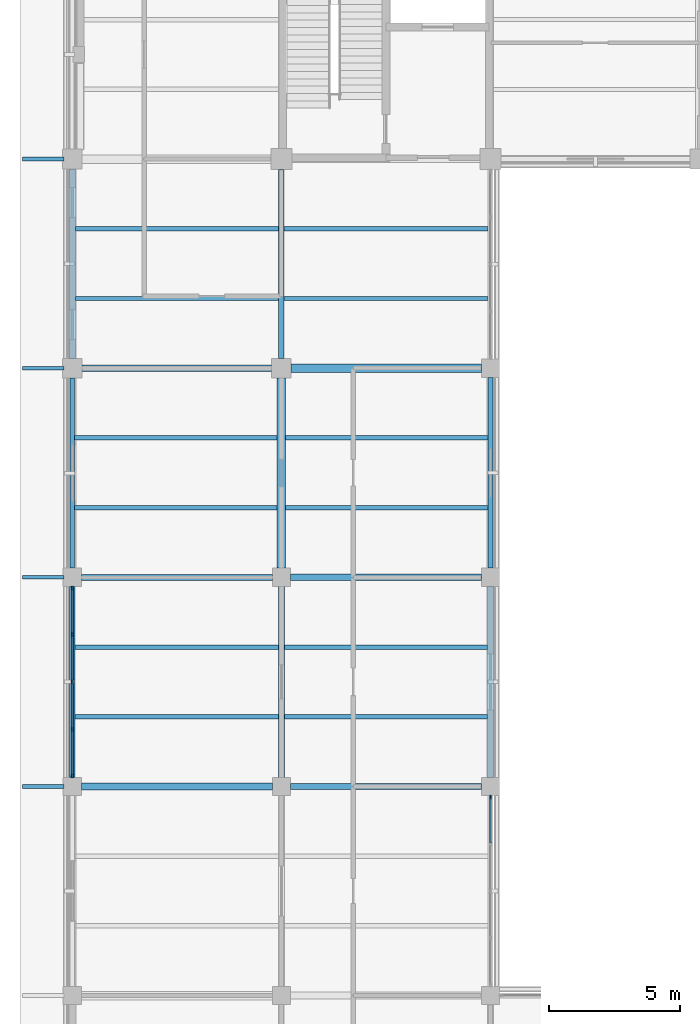
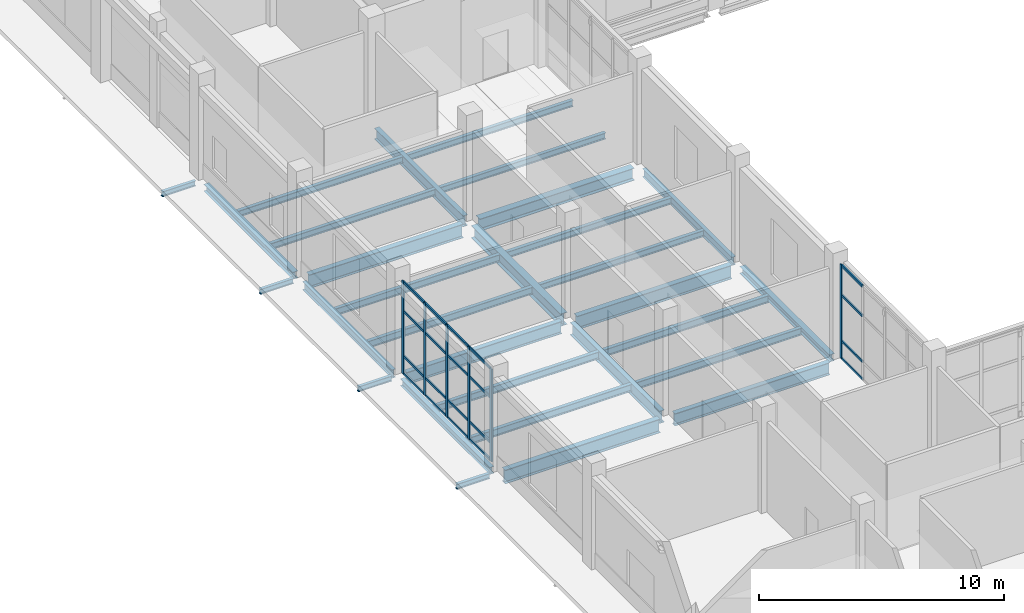
# One storey, part 24 of 105: 30 beams, 26 members, 2 elements without a shape of their own.
"""IFC4 building model written with IfcOpenShell, lengths in metres."""

from ifc_helpers import new_model, si_unit, derived_unit, direction, frame, origin, origin_2d, place, context, subcontext, project, spatial, rectangle, i_section, extrude, material, layer, layer_set, material_profile, profile_set, type_object, element, aggregate, save


model = new_model("IFC4")

# Units and contexts
model_context = context("Model", 3, precision=1e-05, world=origin(), true_north=direction((0.0, 1.0)))
body_context = subcontext(model_context, "Body", "Model", "MODEL_VIEW")
ifc_project = project(units=[si_unit("LENGTHUNIT", "METRE"), si_unit("AREAUNIT", "SQUARE_METRE"), si_unit("VOLUMEUNIT", "CUBIC_METRE"), si_unit("PLANEANGLEUNIT", "RADIAN"), si_unit("MASSUNIT", "GRAM", prefix="KILO"), derived_unit("THERMALTRANSMITTANCEUNIT", [(si_unit("MASSUNIT", "GRAM", prefix="KILO"), 1), (si_unit("TIMEUNIT", "SECOND"), -3), (si_unit("THERMODYNAMICTEMPERATUREUNIT", "KELVIN"), -1)])], contexts=[model_context])

# Site, building, storey
site_placement = place(None, origin())
site = spatial("IfcSite", under=ifc_project, at=site_placement, CompositionType="ELEMENT")
building_placement = place(site_placement, origin())
building = spatial("IfcBuilding", under=site, at=building_placement, Name="Veyamyaing Civic Hall", CompositionType="ELEMENT")
storey_placement = place(building_placement, origin())
storey = spatial("IfcBuildingStorey", under=building, at=storey_placement, Name="L00", CompositionType="ELEMENT", Elevation=0.0)

# Beams
ifc_material_1 = material(Name="Steel ASTM A992", Category="steel")
ifc_material_profile_1 = material_profile(ifc_material_1, i_section(OverallWidth=0.256103515625, OverallDepth=0.693115234375, WebThickness=0.014404296875, FlangeThickness=0.023681640625, FilletRadius=0.013916015625, at=origin_2d()), Name="W690X170")
ifc_profile_set_1 = profile_set([ifc_material_profile_1], Name="Steel ASTM A992")
beam_type_1 = type_object("IfcBeamType", Name="B-04", PredefinedType="BEAM", material=ifc_profile_set_1)
beam_1_placement = place(storey_placement, frame((0.35009765625, 64.0, -0.611572265625), z_axis=(1.0, 0.0, 0.0), x_axis=(0.0, 1.0, 0.0)))
element("IfcBeam", 1, at=beam_1_placement, inside=storey, type_object=beam_type_1, Name="Girder B-04 L00 Grid J 1-2", PredefinedType="BEAM", context=body_context, shape_type="SweptSolid", body=[
    extrude(i_section(OverallWidth=0.256103515625, OverallDepth=0.693115234375, WebThickness=0.014404296875, FlangeThickness=0.023681640625, FilletRadius=0.013916015625, at=origin_2d()), origin(), (0.0, 0.0, 1.0), 7.2998046875),
])
ifc_material_profile_2 = material_profile(ifc_material_1, i_section(OverallWidth=0.22998046875, OverallDepth=0.616943359375, WebThickness=0.01318359375, FlangeThickness=0.022216796875, FilletRadius=0.012939453125, at=origin_2d()), Name="W610X140")
ifc_profile_set_2 = profile_set([ifc_material_profile_2], Name="Steel ASTM A992")
beam_type_2 = type_object("IfcBeamType", Name="B-05", PredefinedType="BEAM", material=ifc_profile_set_2)
for number, where, z_axis, x_axis, name in (
    (2, (8.35009765625, 64.0, -0.573486328125), (1.0, 0.0, 0.0), (0.0, 1.0, 0.0), "Girder B-05 L00 Grid J 2-3"),
    (3, (0.35009765625, 72.0, -0.573486328125), (1.0, 0.0, 0.0), (0.0, 1.0, 0.0), "Girder B-05 L00 Grid K 1-2"),
):
    element("IfcBeam", number, at=place(storey_placement, frame(where, z_axis=z_axis, x_axis=x_axis)), inside=storey, type_object=beam_type_2, Name=name, PredefinedType="BEAM", context=body_context, shape_type="SweptSolid", body=[
        extrude(i_section(OverallWidth=0.22998046875, OverallDepth=0.616943359375, WebThickness=0.01318359375, FlangeThickness=0.022216796875, FilletRadius=0.012939453125, at=origin_2d()), origin(), (0.0, 0.0, 1.0), 7.2998046875),
    ])
ifc_material_profile_3 = material_profile(ifc_material_1, i_section(OverallWidth=0.22802734375, OverallDepth=0.60791015625, WebThickness=0.01123046875, FlangeThickness=0.017333984375, FilletRadius=0.012939453125, at=origin_2d()), Name="W610X113")
ifc_profile_set_3 = profile_set([ifc_material_profile_3], Name="Steel ASTM A992")
beam_type_3 = type_object("IfcBeamType", Name="B-06", PredefinedType="BEAM", material=ifc_profile_set_3)
beam_2_placement = place(storey_placement, frame((8.0, 64.35009765625, -0.569091796875), z_axis=(0.0, 1.0, 0.0), x_axis=(-1.0, 0.0, 0.0)))
element("IfcBeam", 4, at=beam_2_placement, inside=storey, type_object=beam_type_3, Name="Girder B-06 L00 Grid 2 J-K", PredefinedType="BEAM", context=body_context, shape_type="SweptSolid", body=[
    extrude(i_section(OverallWidth=0.22802734375, OverallDepth=0.60791015625, WebThickness=0.01123046875, FlangeThickness=0.017333984375, FilletRadius=0.012939453125, at=origin_2d()), origin(), (0.0, 0.0, 1.0), 7.2998046875),
])
ifc_material_profile_4 = material_profile(ifc_material_1, i_section(OverallWidth=0.179931640625, OverallDepth=0.4130859375, WebThickness=0.009765625, FlangeThickness=0.01611328125, FilletRadius=0.010009765625, at=origin_2d()), Name="W410X74")
ifc_profile_set_4 = profile_set([ifc_material_profile_4], Name="Steel ASTM A992")
beam_type_4 = type_object("IfcBeamType", Name="B-10", PredefinedType="SPANDREL", material=ifc_profile_set_4)
beam_3_placement = place(storey_placement, frame((16.0, 72.35009765625, -0.471435546875), z_axis=(0.0, 1.0, 0.0), x_axis=(-1.0, 0.0, 0.0)))
element("IfcBeam", 5, at=beam_3_placement, inside=storey, type_object=beam_type_4, Name="Girder B-10 L00 Grid 3 K-L", PredefinedType="SPANDREL", context=body_context, shape_type="SweptSolid", body=[
    extrude(i_section(OverallWidth=0.179931640625, OverallDepth=0.4130859375, WebThickness=0.009765625, FlangeThickness=0.01611328125, FilletRadius=0.010009765625, at=origin_2d()), origin(), (0.0, 0.0, 1.0), 7.2998046875),
])
ifc_material_profile_5 = material_profile(ifc_material_1, i_section(OverallWidth=0.2041015625, OverallDepth=0.35009765625, WebThickness=0.0078125, FlangeThickness=0.01513671875, FilletRadius=0.010009765625, at=origin_2d()), Name="W360X72")
ifc_profile_set_5 = profile_set([ifc_material_profile_5], Name="Steel ASTM A992")
beam_type_5 = type_object("IfcBeamType", Name="B-11", PredefinedType="SPANDREL", material=ifc_profile_set_5)
beam_4_placement = place(storey_placement, frame((0.0, 64.35009765625, -0.43994140625), z_axis=(0.0, 1.0, 0.0), x_axis=(-1.0, 0.0, 0.0)))
element("IfcBeam", 6, at=beam_4_placement, inside=storey, type_object=beam_type_5, Name="Girder B-11 L00 Grid 1 J-K", PredefinedType="SPANDREL", context=body_context, shape_type="SweptSolid", body=[
    extrude(i_section(OverallWidth=0.2041015625, OverallDepth=0.35009765625, WebThickness=0.0078125, FlangeThickness=0.01513671875, FilletRadius=0.010009765625, at=origin_2d()), origin(), (0.0, 0.0, 1.0), 7.2998046875),
])
ifc_material_profile_6 = material_profile(ifc_material_1, i_section(OverallWidth=0.14599609375, OverallDepth=0.258056640625, WebThickness=0.006103515625, FlangeThickness=0.009033203125, FilletRadius=0.010009765625, at=origin_2d()), Name="W250X33")
ifc_profile_set_6 = profile_set([ifc_material_profile_6], Name="Steel ASTM A992")
beam_type_6 = type_object("IfcBeamType", Name="B-12", PredefinedType="BEAM", material=ifc_profile_set_6)
for number, where, z_axis, x_axis, name in (
    (7, (-1.89990234375, 64.0, -0.34912109375), (1.0, 0.0, 0.0), (0.0, 1.0, 0.0), "Colonnade deck transverse beam B-12 W.8"),
    (8, (-1.89990234375, 72.0, -0.34912109375), (1.0, 0.0, 0.0), (0.0, 1.0, 0.0), "Colonnade deck transverse beam B-12 W.9"),
    (9, (-1.89990234375, 80.0, -0.34912109375), (1.0, 0.0, 0.0), (0.0, 1.0, 0.0), "Colonnade deck transverse beam B-12 W.10"),
    (10, (-1.89990234375, 88.0, -0.34912109375), (1.0, 0.0, 0.0), (0.0, 1.0, 0.0), "Colonnade deck transverse beam B-12 W.11"),
):
    element("IfcBeam", number, at=place(storey_placement, frame(where, z_axis=z_axis, x_axis=x_axis)), inside=storey, type_object=beam_type_6, Name=name, PredefinedType="BEAM", context=body_context, shape_type="SweptSolid", body=[
        extrude(i_section(OverallWidth=0.14599609375, OverallDepth=0.258056640625, WebThickness=0.006103515625, FlangeThickness=0.009033203125, FilletRadius=0.010009765625, at=origin_2d()), origin(), (0.0, 0.0, 1.0), 1.579833984375),
    ])
ifc_material_profile_7 = material_profile(ifc_material_1, i_section(OverallWidth=0.25390625, OverallDepth=0.68408203125, WebThickness=0.012451171875, FlangeThickness=0.01904296875, FilletRadius=0.013916015625, at=origin_2d()), Name="W690X140")
ifc_profile_set_7 = profile_set([ifc_material_profile_7], Name="Steel ASTM A992")
beam_type_7 = type_object("IfcBeamType", Name="B-14", PredefinedType="BEAM", material=ifc_profile_set_7)
beam_5_placement = place(storey_placement, frame((8.35009765625, 72.0, -0.60693359375), z_axis=(1.0, 0.0, 0.0), x_axis=(0.0, 1.0, 0.0)))
element("IfcBeam", 11, at=beam_5_placement, inside=storey, type_object=beam_type_7, Name="Girder B-14 L00 Grid K 2-3", PredefinedType="BEAM", context=body_context, shape_type="SweptSolid", body=[
    extrude(i_section(OverallWidth=0.25390625, OverallDepth=0.68408203125, WebThickness=0.012451171875, FlangeThickness=0.01904296875, FilletRadius=0.013916015625, at=origin_2d()), origin(), (0.0, 0.0, 1.0), 7.2998046875),
])
beam_6_placement = place(storey_placement, frame((0.375, 80.0, -0.60693359375), z_axis=(1.0, 0.0, 0.0), x_axis=(0.0, 1.0, 0.0)))
element("IfcBeam", 12, at=beam_6_placement, inside=storey, type_object=beam_type_7, Name="Girder B-14 L00 Grid L 1-2", PredefinedType="BEAM", context=body_context, shape_type="SweptSolid", body=[
    extrude(i_section(OverallWidth=0.25390625, OverallDepth=0.68408203125, WebThickness=0.012451171875, FlangeThickness=0.01904296875, FilletRadius=0.013916015625, at=origin_2d()), origin(), (0.0, 0.0, 1.0), 7.25),
])
ifc_material_profile_8 = material_profile(ifc_material_1, i_section(OverallWidth=0.324951171875, OverallDepth=0.615966796875, WebThickness=0.013916015625, FlangeThickness=0.021484375, FilletRadius=0.013916015625, at=origin_2d()), Name="W610X174")
ifc_profile_set_8 = profile_set([ifc_material_profile_8], Name="Steel ASTM A992")
beam_type_8 = type_object("IfcBeamType", Name="B-15", PredefinedType="BEAM", material=ifc_profile_set_8)
for number, where, z_axis, x_axis, name in (
    (13, (8.375, 80.0, -0.572998046875), (1.0, 0.0, 0.0), (0.0, 1.0, 0.0), "Girder B-15 L00 Grid L 2-3"),
    (14, (8.0, 72.35009765625, -0.572998046875), (0.0, 1.0, 0.0), (-1.0, 0.0, 0.0), "Girder B-15 L00 Grid 2 K-L"),
):
    element("IfcBeam", number, at=place(storey_placement, frame(where, z_axis=z_axis, x_axis=x_axis)), inside=storey, type_object=beam_type_8, Name=name, PredefinedType="BEAM", context=body_context, shape_type="SweptSolid", body=[
        extrude(i_section(OverallWidth=0.324951171875, OverallDepth=0.615966796875, WebThickness=0.013916015625, FlangeThickness=0.021484375, FilletRadius=0.013916015625, at=origin_2d()), origin(), (0.0, 0.0, 1.0), 7.27490234375),
    ])
ifc_material_profile_9 = material_profile(ifc_material_1, i_section(OverallWidth=0.214111328125, OverallDepth=0.549072265625, WebThickness=0.0146484375, FlangeThickness=0.023681640625, FilletRadius=0.011962890625, at=origin_2d()), Name="W530X138")
ifc_profile_set_9 = profile_set([ifc_material_profile_9], Name="Steel ASTM A992")
beam_type_9 = type_object("IfcBeamType", Name="B-16", PredefinedType="BEAM", material=ifc_profile_set_9)
beam_7_placement = place(storey_placement, frame((8.0, 80.375, -0.53955078125), z_axis=(0.0, 1.0, 0.0), x_axis=(-1.0, 0.0, 0.0)))
element("IfcBeam", 15, at=beam_7_placement, inside=storey, type_object=beam_type_9, Name="Girder B-16 L00 Grid 2 L-M", PredefinedType="BEAM", context=body_context, shape_type="SweptSolid", body=[
    extrude(i_section(OverallWidth=0.214111328125, OverallDepth=0.549072265625, WebThickness=0.0146484375, FlangeThickness=0.023681640625, FilletRadius=0.011962890625, at=origin_2d()), origin(), (0.0, 0.0, 1.0), 7.22509765625),
])
ifc_material_profile_10 = material_profile(ifc_material_1, i_section(OverallWidth=0.180908203125, OverallDepth=0.4169921875, WebThickness=0.010986328125, FlangeThickness=0.018310546875, FilletRadius=0.010009765625, at=origin_2d()), Name="W410X85")
ifc_profile_set_10 = profile_set([ifc_material_profile_10], Name="Steel ASTM A992")
beam_type_10 = type_object("IfcBeamType", Name="B-19", PredefinedType="SPANDREL", material=ifc_profile_set_10)
beam_8_placement = place(storey_placement, frame((0.0, 72.35009765625, -0.473388671875), z_axis=(0.0, 1.0, 0.0), x_axis=(-1.0, 0.0, 0.0)))
element("IfcBeam", 16, at=beam_8_placement, inside=storey, type_object=beam_type_10, Name="Girder B-19 L00 Grid 1 K-L", PredefinedType="SPANDREL", context=body_context, shape_type="SweptSolid", body=[
    extrude(i_section(OverallWidth=0.180908203125, OverallDepth=0.4169921875, WebThickness=0.010986328125, FlangeThickness=0.018310546875, FilletRadius=0.010009765625, at=origin_2d()), origin(), (0.0, 0.0, 1.0), 7.27490234375),
])
ifc_material_profile_11 = material_profile(ifc_material_1, i_section(OverallWidth=0.25390625, OverallDepth=0.35302734375, WebThickness=0.009521484375, FlangeThickness=0.016357421875, FilletRadius=0.011962890625, at=origin_2d()), Name="W360X91")
ifc_profile_set_11 = profile_set([ifc_material_profile_11], Name="Steel ASTM A992")
beam_type_11 = type_object("IfcBeamType", Name="B-20", PredefinedType="SPANDREL", material=ifc_profile_set_11)
beam_9_placement = place(storey_placement, frame((0.0, 80.375, -0.44140625), z_axis=(0.0, 1.0, 0.0), x_axis=(-1.0, 0.0, 0.0)))
element("IfcBeam", 17, at=beam_9_placement, inside=storey, type_object=beam_type_11, Name="Girder B-20 L00 Grid 1 L-M", PredefinedType="SPANDREL", context=body_context, shape_type="SweptSolid", body=[
    extrude(i_section(OverallWidth=0.25390625, OverallDepth=0.35302734375, WebThickness=0.009521484375, FlangeThickness=0.016357421875, FilletRadius=0.011962890625, at=origin_2d()), origin(), (0.0, 0.0, 1.0), 7.25),
])
beam_10_placement = place(storey_placement, frame((16.0, 64.35009765625, -0.44140625), z_axis=(0.0, 1.0, 0.0), x_axis=(-1.0, 0.0, 0.0)))
element("IfcBeam", 18, at=beam_10_placement, inside=storey, type_object=beam_type_11, Name="Girder B-20 L00 Grid 3 J-K", PredefinedType="SPANDREL", context=body_context, shape_type="SweptSolid", body=[
    extrude(i_section(OverallWidth=0.25390625, OverallDepth=0.35302734375, WebThickness=0.009521484375, FlangeThickness=0.016357421875, FilletRadius=0.011962890625, at=origin_2d()), origin(), (0.0, 0.0, 1.0), 7.2998046875),
])

# Curtain wall, members
ifc_material_2 = material(Name="Anodised aluminium 6063-T6", Category="aluminium")
ifc_layer = layer(ifc_material_2, 0.159912109375, Name="Anodised aluminium 6063-T6")
ifc_layer_set = layer_set([ifc_layer], Name="Anodised aluminium 6063-T6")
curtain_wall_type = type_object("IfcCurtainWallType", Name="CW-01", PredefinedType="NOTDEFINED", material=ifc_layer_set)
curtain_wall_1_placement = place(storey_placement, origin())
curtain_wall_1 = element("IfcCurtainWall", 19, at=curtain_wall_1_placement, inside=storey, type_object=curtain_wall_type, Name="Unitized curtain wall CW-01 L00 W 1.9", PredefinedType="NOTDEFINED")
ifc_material_profile_12 = material_profile(ifc_material_2, rectangle(XDim=0.06494140625, YDim=0.159912109375, at=origin_2d()), Name="ALU-MUL-65X160")
ifc_profile_set_12 = profile_set([ifc_material_profile_12], Name="Anodised aluminium 6063-T6")
member_type_1 = type_object("IfcMemberType", Name="CWM-01", PredefinedType="MULLION", material=ifc_profile_set_12)
member_1_placement = place(storey_placement, frame((0.0, 64.41259765625, 0.0), z_axis=(0.0, 0.0, 1.0), x_axis=(-1.0, 0.0, 0.0)))
member_1 = element("IfcMember", 20, at=member_1_placement, type_object=member_type_1, Name="CW-01 mullion 1", PredefinedType="MULLION", context=body_context, shape_type="SweptSolid", body=[
    extrude(rectangle(XDim=0.06494140625, YDim=0.159912109375, at=origin_2d()), origin(), (0.0, 0.0, 1.0), 4.610107421875),
])
member_2_placement = place(storey_placement, frame((0.0, 66.18994140625, 0.0), z_axis=(0.0, 0.0, 1.0), x_axis=(-1.0, 0.0, 0.0)))
member_2 = element("IfcMember", 21, at=member_2_placement, type_object=member_type_1, Name="CW-01 mullion 2", PredefinedType="MULLION", context=body_context, shape_type="SweptSolid", body=[
    extrude(rectangle(XDim=0.06494140625, YDim=0.159912109375, at=origin_2d()), origin(), (0.0, 0.0, 1.0), 4.610107421875),
])
member_3_placement = place(storey_placement, frame((0.0, 68.0, 0.0), z_axis=(0.0, 0.0, 1.0), x_axis=(-1.0, 0.0, 0.0)))
member_3 = element("IfcMember", 22, at=member_3_placement, type_object=member_type_1, Name="CW-01 mullion 3", PredefinedType="MULLION", context=body_context, shape_type="SweptSolid", body=[
    extrude(rectangle(XDim=0.06494140625, YDim=0.159912109375, at=origin_2d()), origin(), (0.0, 0.0, 1.0), 4.610107421875),
])
member_4_placement = place(storey_placement, frame((0.0, 69.81005859375, 0.0), z_axis=(0.0, 0.0, 1.0), x_axis=(-1.0, 0.0, 0.0)))
member_4 = element("IfcMember", 23, at=member_4_placement, type_object=member_type_1, Name="CW-01 mullion 4", PredefinedType="MULLION", context=body_context, shape_type="SweptSolid", body=[
    extrude(rectangle(XDim=0.06494140625, YDim=0.159912109375, at=origin_2d()), origin(), (0.0, 0.0, 1.0), 4.610107421875),
])
member_5_placement = place(storey_placement, frame((0.0, 71.58740234375, 0.0), z_axis=(0.0, 0.0, 1.0), x_axis=(-1.0, 0.0, 0.0)))
member_5 = element("IfcMember", 24, at=member_5_placement, type_object=member_type_1, Name="CW-01 mullion 5", PredefinedType="MULLION", context=body_context, shape_type="SweptSolid", body=[
    extrude(rectangle(XDim=0.06494140625, YDim=0.159912109375, at=origin_2d()), origin(), (0.0, 0.0, 1.0), 4.610107421875),
])

# Curtain wall, member
curtain_wall_2_placement = place(storey_placement, origin())
curtain_wall_2 = element("IfcCurtainWall", 25, at=curtain_wall_2_placement, inside=storey, type_object=curtain_wall_type, Name="Unitized curtain wall CW-01 L00 E 2.8", PredefinedType="NOTDEFINED")
member_6_placement = place(storey_placement, frame((16.0, 63.58740234375, 0.0), z_axis=(0.0, 0.0, 1.0), x_axis=(-1.0, 0.0, 0.0)))
member_6 = element("IfcMember", 26, at=member_6_placement, type_object=member_type_1, Name="CW-01 mullion 5", PredefinedType="MULLION", context=body_context, shape_type="SweptSolid", body=[
    extrude(rectangle(XDim=0.06494140625, YDim=0.159912109375, at=origin_2d()), origin(), (0.0, 0.0, 1.0), 4.678955078125),
])

# Member
ifc_material_profile_13 = material_profile(ifc_material_2, rectangle(XDim=0.06494140625, YDim=0.1201171875, at=origin_2d()), Name="ALU-TRN-65X120")
ifc_profile_set_13 = profile_set([ifc_material_profile_13], Name="Anodised aluminium 6063-T6")
member_type_2 = type_object("IfcMemberType", Name="CWT-01", PredefinedType="USERDEFINED", material=ifc_profile_set_13)
member_7_placement = place(storey_placement, frame((0.0, 64.445068359375, 0.032470703125), z_axis=(0.0, 1.0, 0.0), x_axis=(-1.0, 0.0, 0.0)))
member_7 = element("IfcMember", 27, at=member_7_placement, type_object=member_type_2, Name="CW-01 transom 1.1", ObjectType="TRANSOM", PredefinedType="USERDEFINED", context=body_context, shape_type="SweptSolid", body=[
    extrude(rectangle(XDim=0.06494140625, YDim=0.1201171875, at=origin_2d()), origin(), (0.0, 0.0, 1.0), 1.71240234375),
])

member_8_placement = place(storey_placement, frame((0.0, 64.445068359375, 0.89990234375), z_axis=(0.0, 1.0, 0.0), x_axis=(-1.0, 0.0, 0.0)))
member_8 = element("IfcMember", 28, at=member_8_placement, type_object=member_type_2, Name="CW-01 transom 1.2", ObjectType="TRANSOM", PredefinedType="USERDEFINED", context=body_context, shape_type="SweptSolid", body=[
    extrude(rectangle(XDim=0.06494140625, YDim=0.1201171875, at=origin_2d()), origin(), (0.0, 0.0, 1.0), 1.71240234375),
])

member_9_placement = place(storey_placement, frame((0.0, 64.445068359375, 3.134765625), z_axis=(0.0, 1.0, 0.0), x_axis=(-1.0, 0.0, 0.0)))
member_9 = element("IfcMember", 29, at=member_9_placement, type_object=member_type_2, Name="CW-01 transom 1.3", ObjectType="TRANSOM", PredefinedType="USERDEFINED", context=body_context, shape_type="SweptSolid", body=[
    extrude(rectangle(XDim=0.06494140625, YDim=0.1201171875, at=origin_2d()), origin(), (0.0, 0.0, 1.0), 1.71240234375),
])

member_10_placement = place(storey_placement, frame((0.0, 64.445068359375, 4.577392578125), z_axis=(0.0, 1.0, 0.0), x_axis=(-1.0, 0.0, 0.0)))
member_10 = element("IfcMember", 30, at=member_10_placement, type_object=member_type_2, Name="CW-01 transom 1.4", ObjectType="TRANSOM", PredefinedType="USERDEFINED", context=body_context, shape_type="SweptSolid", body=[
    extrude(rectangle(XDim=0.06494140625, YDim=0.1201171875, at=origin_2d()), origin(), (0.0, 0.0, 1.0), 1.71240234375),
])

member_11_placement = place(storey_placement, frame((0.0, 66.222412109375, 0.032470703125), z_axis=(0.0, 1.0, 0.0), x_axis=(-1.0, 0.0, 0.0)))
member_11 = element("IfcMember", 31, at=member_11_placement, type_object=member_type_2, Name="CW-01 transom 2.1", ObjectType="TRANSOM", PredefinedType="USERDEFINED", context=body_context, shape_type="SweptSolid", body=[
    extrude(rectangle(XDim=0.06494140625, YDim=0.1201171875, at=origin_2d()), origin(), (0.0, 0.0, 1.0), 1.7451171875),
])

member_12_placement = place(storey_placement, frame((0.0, 66.222412109375, 0.89990234375), z_axis=(0.0, 1.0, 0.0), x_axis=(-1.0, 0.0, 0.0)))
member_12 = element("IfcMember", 32, at=member_12_placement, type_object=member_type_2, Name="CW-01 transom 2.2", ObjectType="TRANSOM", PredefinedType="USERDEFINED", context=body_context, shape_type="SweptSolid", body=[
    extrude(rectangle(XDim=0.06494140625, YDim=0.1201171875, at=origin_2d()), origin(), (0.0, 0.0, 1.0), 1.7451171875),
])

member_13_placement = place(storey_placement, frame((0.0, 66.222412109375, 3.134765625), z_axis=(0.0, 1.0, 0.0), x_axis=(-1.0, 0.0, 0.0)))
member_13 = element("IfcMember", 33, at=member_13_placement, type_object=member_type_2, Name="CW-01 transom 2.3", ObjectType="TRANSOM", PredefinedType="USERDEFINED", context=body_context, shape_type="SweptSolid", body=[
    extrude(rectangle(XDim=0.06494140625, YDim=0.1201171875, at=origin_2d()), origin(), (0.0, 0.0, 1.0), 1.7451171875),
])

member_14_placement = place(storey_placement, frame((0.0, 66.222412109375, 4.577392578125), z_axis=(0.0, 1.0, 0.0), x_axis=(-1.0, 0.0, 0.0)))
member_14 = element("IfcMember", 34, at=member_14_placement, type_object=member_type_2, Name="CW-01 transom 2.4", ObjectType="TRANSOM", PredefinedType="USERDEFINED", context=body_context, shape_type="SweptSolid", body=[
    extrude(rectangle(XDim=0.06494140625, YDim=0.1201171875, at=origin_2d()), origin(), (0.0, 0.0, 1.0), 1.7451171875),
])

member_15_placement = place(storey_placement, frame((0.0, 68.032470703125, 0.032470703125), z_axis=(0.0, 1.0, 0.0), x_axis=(-1.0, 0.0, 0.0)))
member_15 = element("IfcMember", 35, at=member_15_placement, type_object=member_type_2, Name="CW-01 transom 3.1", ObjectType="TRANSOM", PredefinedType="USERDEFINED", context=body_context, shape_type="SweptSolid", body=[
    extrude(rectangle(XDim=0.06494140625, YDim=0.1201171875, at=origin_2d()), origin(), (0.0, 0.0, 1.0), 1.7451171875),
])

member_16_placement = place(storey_placement, frame((0.0, 68.032470703125, 0.89990234375), z_axis=(0.0, 1.0, 0.0), x_axis=(-1.0, 0.0, 0.0)))
member_16 = element("IfcMember", 36, at=member_16_placement, type_object=member_type_2, Name="CW-01 transom 3.2", ObjectType="TRANSOM", PredefinedType="USERDEFINED", context=body_context, shape_type="SweptSolid", body=[
    extrude(rectangle(XDim=0.06494140625, YDim=0.1201171875, at=origin_2d()), origin(), (0.0, 0.0, 1.0), 1.7451171875),
])

member_17_placement = place(storey_placement, frame((0.0, 68.032470703125, 3.134765625), z_axis=(0.0, 1.0, 0.0), x_axis=(-1.0, 0.0, 0.0)))
member_17 = element("IfcMember", 37, at=member_17_placement, type_object=member_type_2, Name="CW-01 transom 3.3", ObjectType="TRANSOM", PredefinedType="USERDEFINED", context=body_context, shape_type="SweptSolid", body=[
    extrude(rectangle(XDim=0.06494140625, YDim=0.1201171875, at=origin_2d()), origin(), (0.0, 0.0, 1.0), 1.7451171875),
])

member_18_placement = place(storey_placement, frame((0.0, 68.032470703125, 4.577392578125), z_axis=(0.0, 1.0, 0.0), x_axis=(-1.0, 0.0, 0.0)))
member_18 = element("IfcMember", 38, at=member_18_placement, type_object=member_type_2, Name="CW-01 transom 3.4", ObjectType="TRANSOM", PredefinedType="USERDEFINED", context=body_context, shape_type="SweptSolid", body=[
    extrude(rectangle(XDim=0.06494140625, YDim=0.1201171875, at=origin_2d()), origin(), (0.0, 0.0, 1.0), 1.7451171875),
])

member_19_placement = place(storey_placement, frame((0.0, 69.842529296875, 0.032470703125), z_axis=(0.0, 1.0, 0.0), x_axis=(-1.0, 0.0, 0.0)))
member_19 = element("IfcMember", 39, at=member_19_placement, type_object=member_type_2, Name="CW-01 transom 4.1", ObjectType="TRANSOM", PredefinedType="USERDEFINED", context=body_context, shape_type="SweptSolid", body=[
    extrude(rectangle(XDim=0.06494140625, YDim=0.1201171875, at=origin_2d()), origin(), (0.0, 0.0, 1.0), 1.71240234375),
])

member_20_placement = place(storey_placement, frame((0.0, 69.842529296875, 0.89990234375), z_axis=(0.0, 1.0, 0.0), x_axis=(-1.0, 0.0, 0.0)))
member_20 = element("IfcMember", 40, at=member_20_placement, type_object=member_type_2, Name="CW-01 transom 4.2", ObjectType="TRANSOM", PredefinedType="USERDEFINED", context=body_context, shape_type="SweptSolid", body=[
    extrude(rectangle(XDim=0.06494140625, YDim=0.1201171875, at=origin_2d()), origin(), (0.0, 0.0, 1.0), 1.71240234375),
])

member_21_placement = place(storey_placement, frame((0.0, 69.842529296875, 3.134765625), z_axis=(0.0, 1.0, 0.0), x_axis=(-1.0, 0.0, 0.0)))
member_21 = element("IfcMember", 41, at=member_21_placement, type_object=member_type_2, Name="CW-01 transom 4.3", ObjectType="TRANSOM", PredefinedType="USERDEFINED", context=body_context, shape_type="SweptSolid", body=[
    extrude(rectangle(XDim=0.06494140625, YDim=0.1201171875, at=origin_2d()), origin(), (0.0, 0.0, 1.0), 1.71240234375),
])

member_22_placement = place(storey_placement, frame((0.0, 69.842529296875, 4.577392578125), z_axis=(0.0, 1.0, 0.0), x_axis=(-1.0, 0.0, 0.0)))
member_22 = element("IfcMember", 42, at=member_22_placement, type_object=member_type_2, Name="CW-01 transom 4.4", ObjectType="TRANSOM", PredefinedType="USERDEFINED", context=body_context, shape_type="SweptSolid", body=[
    extrude(rectangle(XDim=0.06494140625, YDim=0.1201171875, at=origin_2d()), origin(), (0.0, 0.0, 1.0), 1.71240234375),
])

aggregate(curtain_wall_1, [member_1, member_2, member_3, member_4, member_5, member_7, member_8, member_9, member_10, member_11, member_12, member_13, member_14, member_15, member_16, member_17, member_18, member_19, member_20, member_21, member_22])

member_23_placement = place(storey_placement, frame((16.0, 61.842529296875, 0.032470703125), z_axis=(0.0, 1.0, 0.0), x_axis=(-1.0, 0.0, 0.0)))
member_23 = element("IfcMember", 43, at=member_23_placement, type_object=member_type_2, Name="CW-01 transom 4.1", ObjectType="TRANSOM", PredefinedType="USERDEFINED", context=body_context, shape_type="SweptSolid", body=[
    extrude(rectangle(XDim=0.06494140625, YDim=0.1201171875, at=origin_2d()), origin(), (0.0, 0.0, 1.0), 1.71240234375),
])

member_24_placement = place(storey_placement, frame((16.0, 61.842529296875, 0.89990234375), z_axis=(0.0, 1.0, 0.0), x_axis=(-1.0, 0.0, 0.0)))
member_24 = element("IfcMember", 44, at=member_24_placement, type_object=member_type_2, Name="CW-01 transom 4.2", ObjectType="TRANSOM", PredefinedType="USERDEFINED", context=body_context, shape_type="SweptSolid", body=[
    extrude(rectangle(XDim=0.06494140625, YDim=0.1201171875, at=origin_2d()), origin(), (0.0, 0.0, 1.0), 1.71240234375),
])

member_25_placement = place(storey_placement, frame((16.0, 61.842529296875, 3.181640625), z_axis=(0.0, 1.0, 0.0), x_axis=(-1.0, 0.0, 0.0)))
member_25 = element("IfcMember", 45, at=member_25_placement, type_object=member_type_2, Name="CW-01 transom 4.3", ObjectType="TRANSOM", PredefinedType="USERDEFINED", context=body_context, shape_type="SweptSolid", body=[
    extrude(rectangle(XDim=0.06494140625, YDim=0.1201171875, at=origin_2d()), origin(), (0.0, 0.0, 1.0), 1.71240234375),
])

member_26_placement = place(storey_placement, frame((16.0, 61.842529296875, 4.646484375), z_axis=(0.0, 1.0, 0.0), x_axis=(-1.0, 0.0, 0.0)))
member_26 = element("IfcMember", 46, at=member_26_placement, type_object=member_type_2, Name="CW-01 transom 4.4", ObjectType="TRANSOM", PredefinedType="USERDEFINED", context=body_context, shape_type="SweptSolid", body=[
    extrude(rectangle(XDim=0.06494140625, YDim=0.1201171875, at=origin_2d()), origin(), (0.0, 0.0, 1.0), 1.71240234375),
])

aggregate(curtain_wall_2, [member_6, member_23, member_24, member_25, member_26])

# Beams
ifc_material_profile_14 = material_profile(ifc_material_1, i_section(OverallWidth=0.172119140625, OverallDepth=0.35791015625, WebThickness=0.0078125, FlangeThickness=0.01318359375, FilletRadius=0.010009765625, at=origin_2d()), Name="W360X57")
ifc_profile_set_14 = profile_set([ifc_material_profile_14], Name="Steel ASTM A992")
beam_type_12 = type_object("IfcBeamType", Name="J-02", PredefinedType="JOIST", material=ifc_profile_set_14)
for number, where, z_axis, x_axis, name in (
    (47, (0.10009765625, 66.666748046875, -0.444091796875), (1.0, 0.0, 0.0), (0.0, 1.0, 0.0), "Composite floor joist J-02 L00 1.9.1"),
    (48, (0.10009765625, 69.333251953125, -0.444091796875), (1.0, 0.0, 0.0), (0.0, 1.0, 0.0), "Composite floor joist J-02 L00 1.9.2"),
):
    element("IfcBeam", number, at=place(storey_placement, frame(where, z_axis=z_axis, x_axis=x_axis)), inside=storey, type_object=beam_type_12, Name=name, PredefinedType="JOIST", context=body_context, shape_type="SweptSolid", body=[
        extrude(i_section(OverallWidth=0.172119140625, OverallDepth=0.35791015625, WebThickness=0.0078125, FlangeThickness=0.01318359375, FilletRadius=0.010009765625, at=origin_2d()), origin(), (0.0, 0.0, 1.0), 7.787841796875),
    ])
ifc_material_profile_15 = material_profile(ifc_material_1, i_section(OverallWidth=0.1708984375, OverallDepth=0.35205078125, WebThickness=0.0068359375, FlangeThickness=0.009765625, FilletRadius=0.010009765625, at=origin_2d()), Name="W360X44")
ifc_profile_set_15 = profile_set([ifc_material_profile_15], Name="Steel ASTM A992")
beam_type_13 = type_object("IfcBeamType", Name="J-03", PredefinedType="JOIST", material=ifc_profile_set_15)
for number, where, z_axis, x_axis, name in (
    (49, (0.08837890625, 74.666748046875, -0.44091796875), (1.0, 0.0, 0.0), (0.0, 1.0, 0.0), "Composite floor joist J-03 L00 1.10.1"),
    (50, (0.08837890625, 77.333251953125, -0.44091796875), (1.0, 0.0, 0.0), (0.0, 1.0, 0.0), "Composite floor joist J-03 L00 1.10.2"),
):
    element("IfcBeam", number, at=place(storey_placement, frame(where, z_axis=z_axis, x_axis=x_axis)), inside=storey, type_object=beam_type_13, Name=name, PredefinedType="JOIST", context=body_context, shape_type="SweptSolid", body=[
        extrude(i_section(OverallWidth=0.1708984375, OverallDepth=0.35205078125, WebThickness=0.0068359375, FlangeThickness=0.009765625, FilletRadius=0.010009765625, at=origin_2d()), origin(), (0.0, 0.0, 1.0), 7.751220703125),
    ])
for number, where, z_axis, x_axis, name in (
    (51, (8.112060546875, 66.666748046875, -0.44091796875), (1.0, 0.0, 0.0), (0.0, 1.0, 0.0), "Composite floor joist J-03 L00 2.9.1"),
    (52, (8.112060546875, 69.333251953125, -0.44091796875), (1.0, 0.0, 0.0), (0.0, 1.0, 0.0), "Composite floor joist J-03 L00 2.9.2"),
):
    element("IfcBeam", number, at=place(storey_placement, frame(where, z_axis=z_axis, x_axis=x_axis)), inside=storey, type_object=beam_type_13, Name=name, PredefinedType="JOIST", context=body_context, shape_type="SweptSolid", body=[
        extrude(i_section(OverallWidth=0.1708984375, OverallDepth=0.35205078125, WebThickness=0.0068359375, FlangeThickness=0.009765625, FilletRadius=0.010009765625, at=origin_2d()), origin(), (0.0, 0.0, 1.0), 7.762939453125),
    ])
ifc_material_profile_16 = material_profile(ifc_material_1, i_section(OverallWidth=0.1669921875, OverallDepth=0.318115234375, WebThickness=0.007568359375, FlangeThickness=0.01318359375, FilletRadius=0.010009765625, at=origin_2d()), Name="W310X52")
ifc_profile_set_16 = profile_set([ifc_material_profile_16], Name="Steel ASTM A992")
beam_type_14 = type_object("IfcBeamType", Name="J-04", PredefinedType="JOIST", material=ifc_profile_set_16)
for number, where, z_axis, x_axis, name in (
    (53, (0.125, 82.666748046875, -0.424072265625), (1.0, 0.0, 0.0), (0.0, 1.0, 0.0), "Composite floor joist J-04 L00 1.11.1"),
    (54, (0.125, 85.333251953125, -0.424072265625), (1.0, 0.0, 0.0), (0.0, 1.0, 0.0), "Composite floor joist J-04 L00 1.11.2"),
):
    element("IfcBeam", number, at=place(storey_placement, frame(where, z_axis=z_axis, x_axis=x_axis)), inside=storey, type_object=beam_type_14, Name=name, PredefinedType="JOIST", context=body_context, shape_type="SweptSolid", body=[
        extrude(i_section(OverallWidth=0.1669921875, OverallDepth=0.318115234375, WebThickness=0.007568359375, FlangeThickness=0.01318359375, FilletRadius=0.010009765625, at=origin_2d()), origin(), (0.0, 0.0, 1.0), 7.77001953125),
    ])
for number, where, z_axis, x_axis, name in (
    (55, (8.160400390625, 74.666748046875, -0.424072265625), (1.0, 0.0, 0.0), (0.0, 1.0, 0.0), "Composite floor joist J-04 L00 2.10.1"),
    (56, (8.160400390625, 77.333251953125, -0.424072265625), (1.0, 0.0, 0.0), (0.0, 1.0, 0.0), "Composite floor joist J-04 L00 2.10.2"),
):
    element("IfcBeam", number, at=place(storey_placement, frame(where, z_axis=z_axis, x_axis=x_axis)), inside=storey, type_object=beam_type_14, Name=name, PredefinedType="JOIST", context=body_context, shape_type="SweptSolid", body=[
        extrude(i_section(OverallWidth=0.1669921875, OverallDepth=0.318115234375, WebThickness=0.007568359375, FlangeThickness=0.01318359375, FilletRadius=0.010009765625, at=origin_2d()), origin(), (0.0, 0.0, 1.0), 7.751708984375),
    ])
ifc_material_profile_17 = material_profile(ifc_material_1, i_section(OverallWidth=0.1650390625, OverallDepth=0.31005859375, WebThickness=0.005859375, FlangeThickness=0.009765625, FilletRadius=0.010009765625, at=origin_2d()), Name="W310X39")
ifc_profile_set_17 = profile_set([ifc_material_profile_17], Name="Steel ASTM A992")
beam_type_15 = type_object("IfcBeamType", Name="J-05", PredefinedType="JOIST", material=ifc_profile_set_17)
for number, where, z_axis, x_axis, name in (
    (57, (8.10498046875, 82.666748046875, -0.419921875), (1.0, 0.0, 0.0), (0.0, 1.0, 0.0), "Composite floor joist J-05 L00 2.11.1"),
    (58, (8.10498046875, 85.333251953125, -0.419921875), (1.0, 0.0, 0.0), (0.0, 1.0, 0.0), "Composite floor joist J-05 L00 2.11.2"),
):
    element("IfcBeam", number, at=place(storey_placement, frame(where, z_axis=z_axis, x_axis=x_axis)), inside=storey, type_object=beam_type_15, Name=name, PredefinedType="JOIST", context=body_context, shape_type="SweptSolid", body=[
        extrude(i_section(OverallWidth=0.1650390625, OverallDepth=0.31005859375, WebThickness=0.005859375, FlangeThickness=0.009765625, FilletRadius=0.010009765625, at=origin_2d()), origin(), (0.0, 0.0, 1.0), 7.794921875),
    ])

save(model, "model.ifc")
